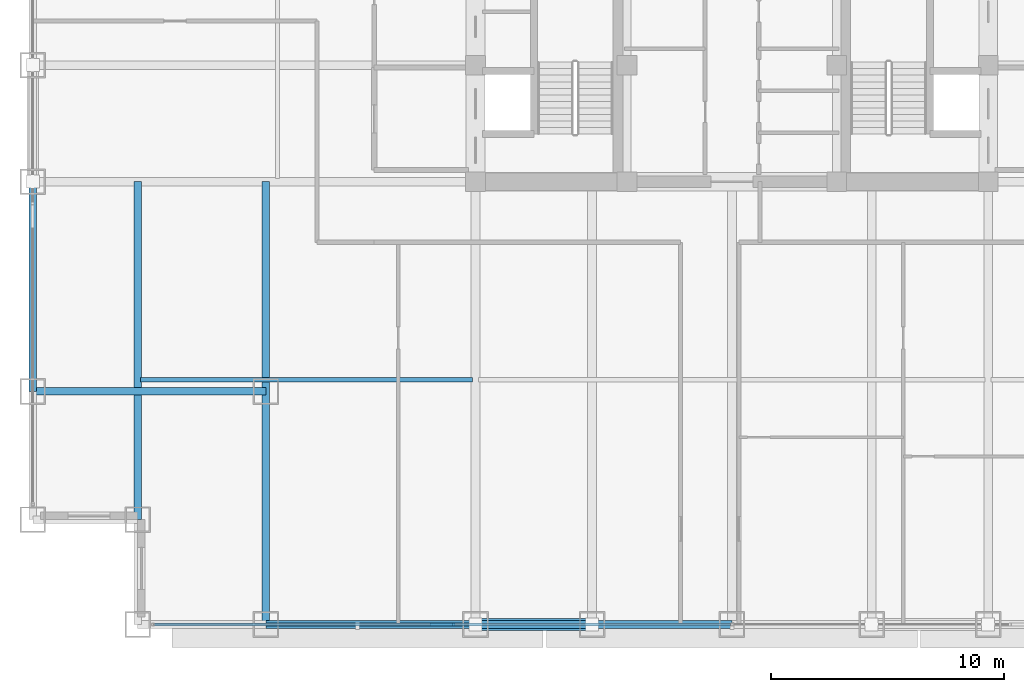
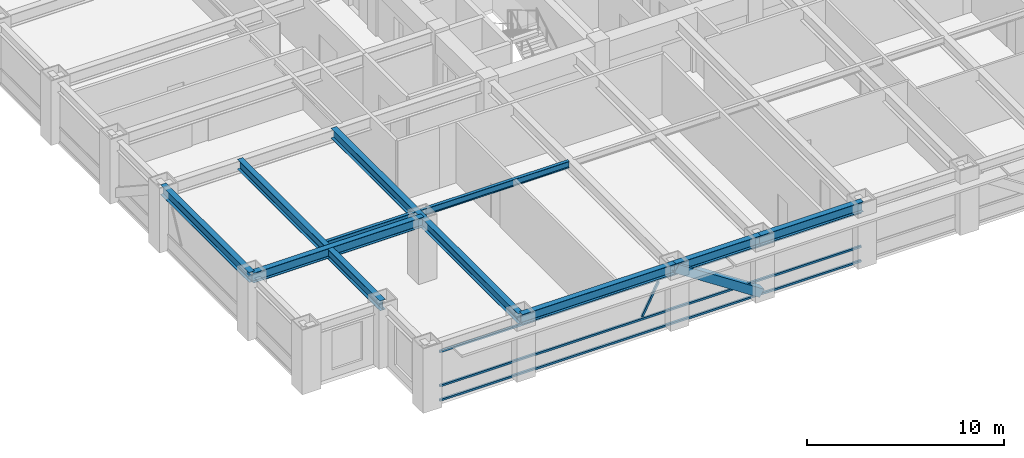
# One storey, part 3 of 28: 8 beams, 5 members, 1 element without a shape of its own.
"""IFC4 building model written with IfcOpenShell, lengths in metres."""

from ifc_helpers import new_model, si_unit, direction, frame, origin, origin_2d, place, context, subcontext, project, spatial, hollow_rectangle, i_section, extrude, source, transform, mapped, material, material_profile, profile_set, type_object, element, aggregate, save


model = new_model("IFC4")

# Units and contexts
model_context = context("Model", 3, precision=1e-05, world=origin(), true_north=direction((0.0, 1.0)))
body_context = subcontext(model_context, "Body", "Model", "MODEL_VIEW")
ifc_project = project(units=[si_unit("LENGTHUNIT", "METRE"), si_unit("AREAUNIT", "SQUARE_METRE"), si_unit("VOLUMEUNIT", "CUBIC_METRE"), si_unit("PLANEANGLEUNIT", "RADIAN"), si_unit("MASSUNIT", "GRAM", prefix="KILO")], contexts=[model_context])

# Site, building, storey
site_placement = place(None, origin())
site = spatial("IfcSite", under=ifc_project, at=site_placement, CompositionType="ELEMENT")
building_placement = place(site_placement, origin())
building = spatial("IfcBuilding", under=site, at=building_placement, Name="Khorayat Bourse Tower", CompositionType="ELEMENT")
storey_placement = place(building_placement, frame((0.0, 0.0, 191.10009765625)))
storey = spatial("IfcBuildingStorey", under=building, at=storey_placement, Name="L44", CompositionType="ELEMENT", Elevation=191.10009765625)

# Beams
ifc_material_1 = material(Name="Steel ASTM A992 Grade 50", Category="steel")
ifc_material_profile_1 = material_profile(ifc_material_1, i_section(OverallWidth=0.324951171875, OverallDepth=0.615966796875, WebThickness=0.013916015625, FlangeThickness=0.021484375, FilletRadius=0.01611328125, at=origin_2d()), Name="W610X174")
ifc_profile_set_1 = profile_set([ifc_material_profile_1], Name="Steel ASTM A992 Grade 50")
beam_type_1 = type_object("IfcBeamType", Name="BM-GIRD-610", PredefinedType="BEAM", material=ifc_profile_set_1)
shared_shape_1 = source(origin(), body_context, "Body", "SweptSolid", [
    extrude(i_section(OverallWidth=0.324951171875, OverallDepth=0.615966796875, WebThickness=0.013916015625, FlangeThickness=0.021484375, FilletRadius=0.01611328125, at=origin_2d()), origin(), (0.0, 0.0, 1.0), 19.0),
])
beam_1_placement = place(storey_placement, frame((-20.0, -30.0, 3.471923828125), z_axis=(0.0, 1.0, 0.0), x_axis=(-1.0, 0.0, 0.0)))
element("IfcBeam", 1, at=beam_1_placement, inside=storey, type_object=beam_type_1, Name="L44 BM-GIRD-610 BM-L44-CNRY-084", PredefinedType="BEAM", context=body_context, shape_type="MappedRepresentation", body=[
    mapped(shared_shape_1, transform((0.0, 0.0, 0.0), scale=1.0)),
])
shared_shape_2 = source(origin(), body_context, "Body", "SweptSolid", [
    extrude(i_section(OverallWidth=0.324951171875, OverallDepth=0.615966796875, WebThickness=0.013916015625, FlangeThickness=0.021484375, FilletRadius=0.01611328125, at=origin_2d()), origin(), (0.0, 0.0, 1.0), 14.5),
])
beam_2_placement = place(storey_placement, frame((-25.5, -25.5, 3.471923828125), z_axis=(0.0, 1.0, 0.0), x_axis=(-1.0, 0.0, 0.0)))
element("IfcBeam", 2, at=beam_2_placement, inside=storey, type_object=beam_type_1, Name="L44 BM-GIRD-610 BM-L44-CNRY-088", PredefinedType="BEAM", context=body_context, shape_type="MappedRepresentation", body=[
    mapped(shared_shape_2, transform((0.0, 0.0, 0.0), scale=1.0)),
])
shared_shape_3 = source(origin(), body_context, "Body", "SweptSolid", [
    extrude(i_section(OverallWidth=0.324951171875, OverallDepth=0.615966796875, WebThickness=0.013916015625, FlangeThickness=0.021484375, FilletRadius=0.01611328125, at=origin_2d()), origin(), (0.0, 0.0, 1.0), 10.0),
])
beam_3_placement = place(storey_placement, frame((-30.0, -20.0, 3.471923828125), z_axis=(1.0, 0.0, 0.0), x_axis=(0.0, 1.0, 0.0)))
element("IfcBeam", 3, at=beam_3_placement, inside=storey, type_object=beam_type_1, Name="L44 BM-GIRD-610 BM-L44-CNRX-093", PredefinedType="BEAM", context=body_context, shape_type="MappedRepresentation", body=[
    mapped(shared_shape_3, transform((0.0, 0.0, 0.0), scale=1.0)),
])
ifc_material_profile_2 = material_profile(ifc_material_1, i_section(OverallWidth=0.180908203125, OverallDepth=0.4169921875, WebThickness=0.010986328125, FlangeThickness=0.018310546875, FilletRadius=0.011962890625, at=origin_2d()), Name="W410X85")
ifc_profile_set_2 = profile_set([ifc_material_profile_2], Name="Steel ASTM A992 Grade 50")
beam_type_2 = type_object("IfcBeamType", Name="BM-JOIST-410", PredefinedType="JOIST", material=ifc_profile_set_2)
shared_shape_4 = source(origin(), body_context, "Body", "SweptSolid", [
    extrude(i_section(OverallWidth=0.180908203125, OverallDepth=0.4169921875, WebThickness=0.010986328125, FlangeThickness=0.018310546875, FilletRadius=0.011962890625, at=origin_2d()), origin(), (0.0, 0.0, 1.0), 14.240234375),
])
beam_4_placement = place(storey_placement, frame((-25.3701171875, -19.5, 3.5712890625), z_axis=(1.0, 0.0, 0.0), x_axis=(0.0, 1.0, 0.0)))
element("IfcBeam", 4, at=beam_4_placement, inside=storey, type_object=beam_type_2, Name="L44 BM-JOIST-410 BM-L44-JSTX-096", PredefinedType="JOIST", context=body_context, shape_type="MappedRepresentation", body=[
    mapped(shared_shape_4, transform((0.0, 0.0, 0.0), scale=1.0)),
])
ifc_material_profile_3 = material_profile(ifc_material_1, i_section(OverallWidth=0.324951171875, OverallDepth=0.615966796875, WebThickness=0.013916015625, FlangeThickness=0.021484375, FilletRadius=0.01611328125, at=origin_2d()), Name="W610X174")
ifc_profile_set_3 = profile_set([ifc_material_profile_3], Name="Steel ASTM A992 Grade 50")
beam_type_3 = type_object("IfcBeamType", Name="BM-SPAN-610", PredefinedType="SPANDREL", material=ifc_profile_set_3)
shared_shape_5 = source(origin(), body_context, "Body", "SweptSolid", [
    extrude(i_section(OverallWidth=0.324951171875, OverallDepth=0.615966796875, WebThickness=0.013916015625, FlangeThickness=0.021484375, FilletRadius=0.01611328125, at=origin_2d()), origin(), (0.0, 0.0, 1.0), 9.0),
])
for number, where, z_axis, x_axis, name in (
    (5, (-20.0, -30.0, 3.471923828125), (1.0, 0.0, 0.0), (0.0, 1.0, 0.0), "L44 BM-SPAN-610 BM-L44-SPN-025"),
    (6, (-30.0, -20.0, 3.471923828125), (0.0, 1.0, 0.0), (-1.0, 0.0, 0.0), "L44 BM-SPAN-610 BM-L44-SPN-060"),
):
    element("IfcBeam", number, at=place(storey_placement, frame(where, z_axis=z_axis, x_axis=x_axis)), inside=storey, type_object=beam_type_3, Name=name, PredefinedType="SPANDREL", context=body_context, shape_type="MappedRepresentation", body=[
        mapped(shared_shape_5, transform((0.0, 0.0, 0.0), scale=1.0)),
    ])
shared_shape_6 = source(origin(), body_context, "Body", "SweptSolid", [
    extrude(i_section(OverallWidth=0.324951171875, OverallDepth=0.615966796875, WebThickness=0.013916015625, FlangeThickness=0.021484375, FilletRadius=0.01611328125, at=origin_2d()), origin(), (0.0, 0.0, 1.0), 5.0),
])
beam_5_placement = place(storey_placement, frame((-11.0, -30.0, 3.471923828125), z_axis=(1.0, 0.0, 0.0), x_axis=(0.0, 1.0, 0.0)))
element("IfcBeam", 7, at=beam_5_placement, inside=storey, type_object=beam_type_3, Name="L44 BM-SPAN-610 BM-L44-SPN-026", PredefinedType="SPANDREL", context=body_context, shape_type="MappedRepresentation", body=[
    mapped(shared_shape_6, transform((0.0, 0.0, 0.0), scale=1.0)),
])
shared_shape_7 = source(origin(), body_context, "Body", "SweptSolid", [
    extrude(i_section(OverallWidth=0.324951171875, OverallDepth=0.615966796875, WebThickness=0.013916015625, FlangeThickness=0.021484375, FilletRadius=0.01611328125, at=origin_2d()), origin(), (0.0, 0.0, 1.0), 6.0),
])
beam_6_placement = place(storey_placement, frame((-6.0, -30.0, 3.471923828125), z_axis=(1.0, 0.0, 0.0), x_axis=(0.0, 1.0, 0.0)))
element("IfcBeam", 8, at=beam_6_placement, inside=storey, type_object=beam_type_3, Name="L44 BM-SPAN-610 BM-L44-SPN-027", PredefinedType="SPANDREL", context=body_context, shape_type="MappedRepresentation", body=[
    mapped(shared_shape_7, transform((0.0, 0.0, 0.0), scale=1.0)),
])

# Member
ifc_material_2 = material(Name="Steel EN 10025-4 S460M", Category="steel")
ifc_material_profile_4 = material_profile(ifc_material_2, hollow_rectangle(XDim=0.5, YDim=0.5, WallThickness=0.028076171875, at=origin_2d()), Name="HSS 500x500x28")
ifc_profile_set_4 = profile_set([ifc_material_profile_4], Name="Steel EN 10025-4 S460M")
member_type_1 = type_object("IfcMemberType", Name="MBR-TUBE-500", PredefinedType="BRACE", material=ifc_profile_set_4)
shared_shape_8 = source(origin(), body_context, "Body", "SweptSolid", [
    extrude(hollow_rectangle(XDim=0.5, YDim=0.5, WallThickness=0.028076171875, at=origin_2d()), origin(), (0.0, 0.0, 1.0), 5.979736328125),
])
member_1_placement = place(storey_placement, frame((-11.0, -30.0, 3.52978515625), z_axis=(0.836160261256, 0.0, -0.548485202623), x_axis=(0.0, 1.0, 0.0)))
element("IfcMember", 9, at=member_1_placement, inside=storey, type_object=member_type_1, Name="L44 Perimeter Tube Brace 01", PredefinedType="BRACE", context=body_context, shape_type="MappedRepresentation", body=[
    mapped(shared_shape_8, transform((0.0, 0.0, 0.0), scale=1.0)),
])

# Curtain wall, members
ifc_material_3 = material(Name="Aluminium EN AW-6063 T6", Category="aluminium")
curtain_wall_type = type_object("IfcCurtainWallType", Name="CW-SYS-03", PredefinedType="NOTDEFINED", material=ifc_material_3)
curtain_wall_placement = place(storey_placement, origin())
curtain_wall = element("IfcCurtainWall", 10, at=curtain_wall_placement, inside=storey, type_object=curtain_wall_type, Name="L44 Curtain Wall CW-L44-S1", PredefinedType="NOTDEFINED")
ifc_material_profile_5 = material_profile(ifc_material_3, hollow_rectangle(XDim=0.1201171875, YDim=0.1201171875, WallThickness=0.0048828125, at=origin_2d()), Name="ALU 120x120x5")
ifc_profile_set_5 = profile_set([ifc_material_profile_5], Name="Aluminium EN AW-6063 T6")
member_type_2 = type_object("IfcMemberType", Name="CWM-DIAG-120", PredefinedType="MULLION", material=ifc_profile_set_5)
shared_shape_9 = source(origin(), body_context, "Body", "SweptSolid", [
    extrude(hollow_rectangle(XDim=0.1201171875, YDim=0.1201171875, WallThickness=0.0048828125, at=origin_2d()), origin(), (0.0, 0.0, 1.0), 2.079345703125),
])
member_2_placement = place(storey_placement, frame((-12.904296875, -30.0, 1.08984375), z_axis=(0.465760949701, 0.0, 0.884910581773), x_axis=(0.0, 1.0, 0.0)))
member_2 = element("IfcMember", 11, at=member_2_placement, type_object=member_type_2, Name="CW-L44-S1 Faceted Diagonal Mullion 1", PredefinedType="MULLION", context=body_context, shape_type="MappedRepresentation", body=[
    mapped(shared_shape_9, transform((0.0, 0.0, 0.0), scale=1.0)),
])
ifc_material_profile_6 = material_profile(ifc_material_3, hollow_rectangle(XDim=0.1201171875, YDim=0.1201171875, WallThickness=0.0048828125, at=origin_2d()), Name="ALU 120x120x5")
ifc_profile_set_6 = profile_set([ifc_material_profile_6], Name="Aluminium EN AW-6063 T6")
member_type_3 = type_object("IfcMemberType", Name="CWT-HORZ-120", PredefinedType="USERDEFINED", material=ifc_profile_set_6)
shared_shape_10 = source(origin(), body_context, "Body", "SweptSolid", [
    extrude(hollow_rectangle(XDim=0.1201171875, YDim=0.1201171875, WallThickness=0.0048828125, at=origin_2d()), origin(), (0.0, 0.0, 1.0), 24.719970703125),
])
member_3_placement = place(storey_placement, frame((-24.780029296875, -30.0, 0.059814453125), z_axis=(1.0, 0.0, 0.0), x_axis=(0.0, 1.0, 0.0)))
member_3 = element("IfcMember", 12, at=member_3_placement, type_object=member_type_3, Name="CW-L44-S1 Horizontal Transom 1-1", ObjectType="TRANSOM", PredefinedType="USERDEFINED", context=body_context, shape_type="MappedRepresentation", body=[
    mapped(shared_shape_10, transform((0.0, 0.0, 0.0), scale=1.0)),
])
member_4_placement = place(storey_placement, frame((-24.780029296875, -30.0, 0.949951171875), z_axis=(1.0, 0.0, 0.0), x_axis=(0.0, 1.0, 0.0)))
member_4 = element("IfcMember", 13, at=member_4_placement, type_object=member_type_3, Name="CW-L44-S1 Horizontal Transom 1-2", ObjectType="TRANSOM", PredefinedType="USERDEFINED", context=body_context, shape_type="MappedRepresentation", body=[
    mapped(shared_shape_10, transform((0.0, 0.0, 0.0), scale=1.0)),
])
member_5_placement = place(storey_placement, frame((-24.780029296875, -30.0, 3.06982421875), z_axis=(1.0, 0.0, 0.0), x_axis=(0.0, 1.0, 0.0)))
member_5 = element("IfcMember", 14, at=member_5_placement, type_object=member_type_3, Name="CW-L44-S1 Horizontal Transom 1-3", ObjectType="TRANSOM", PredefinedType="USERDEFINED", context=body_context, shape_type="MappedRepresentation", body=[
    mapped(shared_shape_10, transform((0.0, 0.0, 0.0), scale=1.0)),
])
aggregate(curtain_wall, [member_3, member_4, member_5, member_2])

save(model, "model.ifc")
